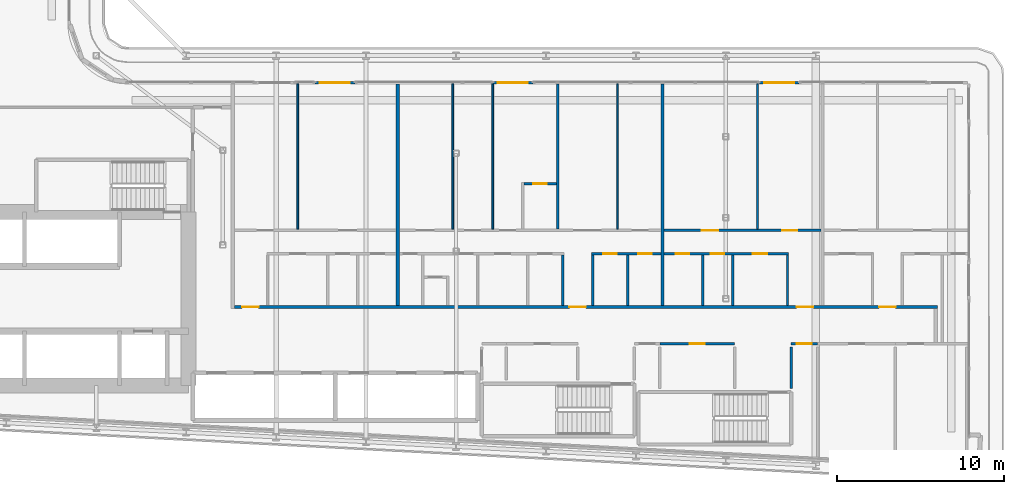
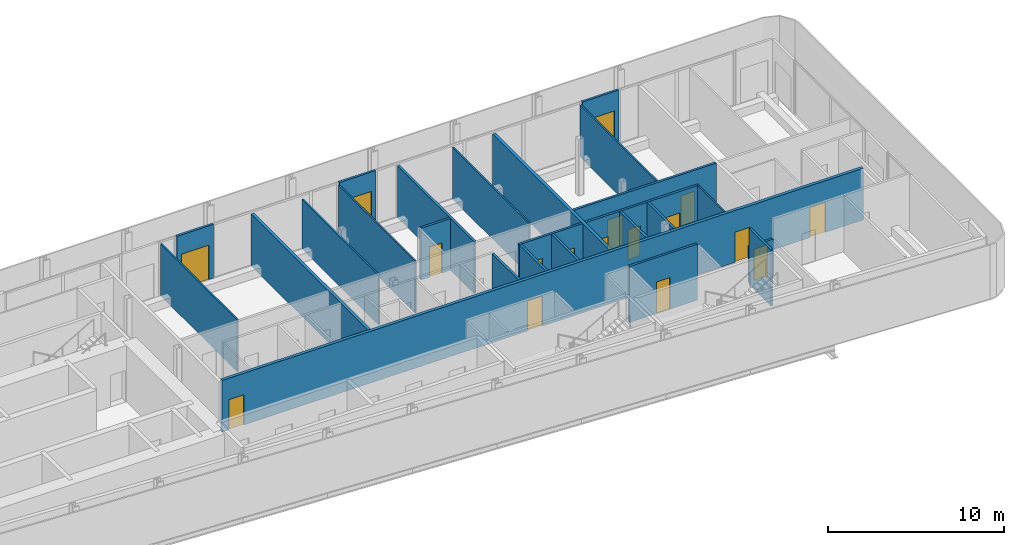
# One storey, part 16 of 28: 25 walls, 17 doors, 17 openings.
"""IFC4 building model written with IfcOpenShell, lengths in metres."""

from ifc_helpers import new_model, si_unit, direction, frame, frame_2d, origin, place, context, subcontext, project, spatial, rectangle, extrude, source, transform, mapped, material, layer, layer_set, type_object, element, fill, save


model = new_model("IFC4")

# Units and contexts
model_context = context("Model", 3, precision=1e-05, world=origin(), true_north=direction((0.0, 1.0)))
body_context = subcontext(model_context, "Body", "Model", "MODEL_VIEW")
ifc_project = project(units=[si_unit("LENGTHUNIT", "METRE"), si_unit("AREAUNIT", "SQUARE_METRE"), si_unit("VOLUMEUNIT", "CUBIC_METRE"), si_unit("PLANEANGLEUNIT", "RADIAN"), si_unit("MASSUNIT", "GRAM", prefix="KILO")], contexts=[model_context])

# Site, building, storey
site_placement = place(None, origin())
site = spatial("IfcSite", under=ifc_project, at=site_placement, CompositionType="ELEMENT")
building_placement = place(site_placement, origin())
building = spatial("IfcBuilding", under=site, at=building_placement, Name="Kheshtan School and Residences Tower", CompositionType="ELEMENT")
storey_placement = place(building_placement, frame((0.0, 0.0, 133.10009765625)))
storey = spatial("IfcBuildingStorey", under=building, at=storey_placement, Name="L31", CompositionType="ELEMENT", Elevation=133.10009765625)

# Wall, openings, doors
ifc_material_1 = material(Name="Gypsum board on steel studs with fire boards", Category="steel")
ifc_layer_1 = layer(ifc_material_1, 0.199951171875)
ifc_layer_set_1 = layer_set([ifc_layer_1], Name="Corridor wall 200")
wall_type_1 = type_object("IfcWallType", Name="Corridor wall 200", PredefinedType="PARTITIONING", material=ifc_layer_set_1)
wall_1_placement = place(storey_placement, frame((55.89990234375, 30.5, 0.0), z_axis=(0.0, 0.0, 1.0), x_axis=(1.0, 0.0, 0.0)))
wall_1 = element("IfcWall", 1, at=wall_1_placement, inside=storey, type_object=wall_type_1, Name="Partition L31-047", PredefinedType="PARTITIONING", context=body_context, shape_type="SweptSolid", body=[
    extrude(rectangle(XDim=42.2001953125, YDim=0.199951171875, at=frame_2d((21.10009765625, 0.0))), origin(), (0.0, 0.0, 1.0), 3.599853515625),
])
opening_1_placement = place(wall_1_placement, frame((0.449951171875, 0.0, 0.0)))
opening_1 = element("IfcOpeningElement", 2, at=opening_1_placement, cuts=wall_1, Name="Opening D29-003", PredefinedType="OPENING", context=body_context, shape_type="SweptSolid", body=[
    extrude(rectangle(XDim=1.0, YDim=2.10009765625, at=frame_2d((0.5, 1.050048828125))), frame((0.0, 0.10986328125, 0.0), z_axis=(0.0, -1.0, 0.0), x_axis=(1.0, 0.0, 0.0)), (0.0, 0.0, 1.0), 0.219970703125),
])
opening_2_placement = place(wall_1_placement, frame((20.10009765625, 0.0, 0.0)))
opening_2 = element("IfcOpeningElement", 3, at=opening_2_placement, cuts=wall_1, Name="Opening D29-013", PredefinedType="OPENING", context=body_context, shape_type="SweptSolid", body=[
    extrude(rectangle(XDim=1.0, YDim=2.10009765625, at=frame_2d((0.5, 1.050048828125))), frame((0.0, 0.10986328125, 0.0), z_axis=(0.0, -1.0, 0.0), x_axis=(1.0, 0.0, 0.0)), (0.0, 0.0, 1.0), 0.219970703125),
])
opening_3_placement = place(wall_1_placement, frame((33.75, 0.0, 0.0)))
opening_3 = element("IfcOpeningElement", 4, at=opening_3_placement, cuts=wall_1, Name="Opening D29-023", PredefinedType="OPENING", context=body_context, shape_type="SweptSolid", body=[
    extrude(rectangle(XDim=1.0, YDim=2.10009765625, at=frame_2d((0.5, 1.050048828125))), frame((0.0, 0.10986328125, 0.0), z_axis=(0.0, -1.0, 0.0), x_axis=(1.0, 0.0, 0.0)), (0.0, 0.0, 1.0), 0.219970703125),
])
opening_4_placement = place(wall_1_placement, frame((38.699951171875, 0.0, 0.0)))
opening_4 = element("IfcOpeningElement", 5, at=opening_4_placement, cuts=wall_1, Name="Opening D29-029", PredefinedType="OPENING", context=body_context, shape_type="SweptSolid", body=[
    extrude(rectangle(XDim=1.0, YDim=2.10009765625, at=frame_2d((0.5, 1.050048828125))), frame((0.0, 0.10986328125, 0.0), z_axis=(0.0, -1.0, 0.0), x_axis=(1.0, 0.0, 0.0)), (0.0, 0.0, 1.0), 0.219970703125),
])
ifc_material_2 = material(Name="Steel-framed fire-resisting door leaf", Category="steel")
door_type_1 = type_object("IfcDoorType", Name="Fire door FD30S 1000 x 2100", OperationType="SINGLE_SWING_LEFT", PredefinedType="DOOR", material=ifc_material_2)
shared_shape_1 = source(origin(), body_context, "Body", "SweptSolid", [
    extrude(rectangle(XDim=1.0, YDim=2.10009765625, at=frame_2d((0.5, 1.050048828125))), frame((0.0, 0.02490234375, 0.0), z_axis=(0.0, -1.0, 0.0), x_axis=(1.0, 0.0, 0.0)), (0.0, 0.0, 1.0), 0.050048828125),
])
door_1_placement = place(opening_1_placement, origin())
door_1 = element("IfcDoor", 6, at=door_1_placement, inside=storey, type_object=door_type_1, Name="Door D29-003", OperationType="SINGLE_SWING_RIGHT", OverallHeight=2.10009765625, OverallWidth=1.0, PredefinedType="DOOR", context=body_context, shape_type="MappedRepresentation", body=[
    mapped(shared_shape_1, transform((0.0, 0.0, 0.0), x_axis=(1.0, 0.0, 0.0), y_axis=(0.0, 1.0, 0.0), z_axis=(0.0, 0.0, 1.0), scale=1.0)),
])
fill(opening_1, door_1)
door_2_placement = place(opening_2_placement, origin())
door_2 = element("IfcDoor", 7, at=door_2_placement, inside=storey, type_object=door_type_1, Name="Door D29-013", OperationType="SINGLE_SWING_LEFT", OverallHeight=2.10009765625, OverallWidth=1.0, PredefinedType="DOOR", context=body_context, shape_type="MappedRepresentation", body=[
    mapped(shared_shape_1, transform((0.0, 0.0, 0.0), x_axis=(1.0, 0.0, 0.0), y_axis=(0.0, 1.0, 0.0), z_axis=(0.0, 0.0, 1.0), scale=1.0)),
])
fill(opening_2, door_2)
door_3_placement = place(opening_3_placement, origin())
door_3 = element("IfcDoor", 8, at=door_3_placement, inside=storey, type_object=door_type_1, Name="Door D29-023", OperationType="SINGLE_SWING_RIGHT", OverallHeight=2.10009765625, OverallWidth=1.0, PredefinedType="DOOR", context=body_context, shape_type="MappedRepresentation", body=[
    mapped(shared_shape_1, transform((0.0, 0.0, 0.0), x_axis=(1.0, 0.0, 0.0), y_axis=(0.0, 1.0, 0.0), z_axis=(0.0, 0.0, 1.0), scale=1.0)),
])
fill(opening_3, door_3)
door_4_placement = place(opening_4_placement, origin())
door_4 = element("IfcDoor", 9, at=door_4_placement, inside=storey, type_object=door_type_1, Name="Door D29-029", OperationType="SINGLE_SWING_LEFT", OverallHeight=2.10009765625, OverallWidth=1.0, PredefinedType="DOOR", context=body_context, shape_type="MappedRepresentation", body=[
    mapped(shared_shape_1, transform((0.0, 0.0, 0.0), x_axis=(1.0, 0.0, 0.0), y_axis=(0.0, 1.0, 0.0), z_axis=(0.0, 0.0, 1.0), scale=1.0)),
])
fill(opening_4, door_4)

# Wall, opening, door
ifc_material_3 = material(Name="Aluminium frame wall with insulated infill", Category="aluminium")
ifc_layer_2 = layer(ifc_material_3, 0.14990234375)
ifc_layer_set_2 = layer_set([ifc_layer_2], Name="Glazing frame wall 150")
wall_type_2 = type_object("IfcWallType", Name="Glazing frame wall 150", PredefinedType="SOLIDWALL", material=ifc_layer_set_2)
wall_2_placement = place(storey_placement, frame((60.72412109375, 43.97509765625, 0.0), z_axis=(0.0, 0.0, 1.0), x_axis=(1.0, 0.0, 0.0)))
wall_2 = element("IfcWall", 10, at=wall_2_placement, inside=storey, type_object=wall_type_2, Name="Balcony door wall L31 12.2", PredefinedType="SOLIDWALL", context=body_context, shape_type="SweptSolid", body=[
    extrude(rectangle(XDim=2.39990234375, YDim=0.14990234375, at=frame_2d((1.199951171875, 0.0))), origin(), (0.0, 0.0, 1.0), 3.75),
])
opening_5_placement = place(wall_2_placement, frame((0.300048828125, 0.0, 0.0)))
opening_5 = element("IfcOpeningElement", 11, at=opening_5_placement, cuts=wall_2, Name="Opening BD", PredefinedType="OPENING", context=body_context, shape_type="SweptSolid", body=[
    extrude(rectangle(XDim=1.800048828125, YDim=2.39990234375, at=frame_2d((0.89990234375, 1.199951171875))), frame((0.0, 0.0849609375, 0.0), z_axis=(0.0, -1.0, 0.0), x_axis=(1.0, 0.0, 0.0)), (0.0, 0.0, 1.0), 0.169921875),
])
ifc_material_4 = material(Name="Clear low-e glass in thermally broken aluminium frame", Category="aluminium")
door_type_2 = type_object("IfcDoorType", Name="Balcony sliding door", OperationType="SLIDING_TO_LEFT", PredefinedType="DOOR", material=ifc_material_4)
shared_shape_2 = source(origin(), body_context, "Body", "SweptSolid", [
    extrude(rectangle(XDim=1.800048828125, YDim=2.39990234375, at=frame_2d((0.89990234375, 1.199951171875))), frame((0.0, 0.02490234375, 0.0), z_axis=(0.0, -1.0, 0.0), x_axis=(1.0, 0.0, 0.0)), (0.0, 0.0, 1.0), 0.050048828125),
])
door_5_placement = place(opening_5_placement, origin())
door_5 = element("IfcDoor", 12, at=door_5_placement, inside=storey, type_object=door_type_2, Name="Balcony door L31 12.2", OperationType="SLIDING_TO_LEFT", OverallHeight=2.39990234375, OverallWidth=1.800048828125, PredefinedType="DOOR", context=body_context, shape_type="MappedRepresentation", body=[
    mapped(shared_shape_2, transform((0.0, 0.0, 0.0), x_axis=(1.0, 0.0, 0.0), y_axis=(0.0, 1.0, 0.0), z_axis=(0.0, 0.0, 1.0), scale=1.0)),
])
fill(opening_5, door_5)

wall_3_placement = place(storey_placement, frame((71.41796875, 43.97509765625, 0.0), z_axis=(0.0, 0.0, 1.0), x_axis=(1.0, 0.0, 0.0)))
wall_3 = element("IfcWall", 13, at=wall_3_placement, inside=storey, type_object=wall_type_2, Name="Balcony door wall L31 12.3", PredefinedType="SOLIDWALL", context=body_context, shape_type="SweptSolid", body=[
    extrude(rectangle(XDim=2.400146484375, YDim=0.14990234375, at=frame_2d((1.2001953125, 0.0))), origin(), (0.0, 0.0, 1.0), 3.75),
])
opening_6_placement = place(wall_3_placement, frame((0.300048828125, 0.0, 0.0)))
opening_6 = element("IfcOpeningElement", 14, at=opening_6_placement, cuts=wall_3, Name="Opening BD", PredefinedType="OPENING", context=body_context, shape_type="SweptSolid", body=[
    extrude(rectangle(XDim=1.800048828125, YDim=2.39990234375, at=frame_2d((0.89990234375, 1.199951171875))), frame((0.0, 0.0849609375, 0.0), z_axis=(0.0, -1.0, 0.0), x_axis=(1.0, 0.0, 0.0)), (0.0, 0.0, 1.0), 0.169921875),
])
door_6_placement = place(opening_6_placement, origin())
door_6 = element("IfcDoor", 15, at=door_6_placement, inside=storey, type_object=door_type_2, Name="Balcony door L31 12.3", OperationType="SLIDING_TO_LEFT", OverallHeight=2.39990234375, OverallWidth=1.800048828125, PredefinedType="DOOR", context=body_context, shape_type="MappedRepresentation", body=[
    mapped(shared_shape_2, transform((0.0, 0.0, 0.0), x_axis=(1.0, 0.0, 0.0), y_axis=(0.0, 1.0, 0.0), z_axis=(0.0, 0.0, 1.0), scale=1.0)),
])
fill(opening_6, door_6)

wall_4_placement = place(storey_placement, frame((87.406005859375, 43.97509765625, 0.0), z_axis=(0.0, 0.0, 1.0), x_axis=(1.0, 0.0, 0.0)))
wall_4 = element("IfcWall", 16, at=wall_4_placement, inside=storey, type_object=wall_type_2, Name="Balcony door wall L31 12.4", PredefinedType="SOLIDWALL", context=body_context, shape_type="SweptSolid", body=[
    extrude(rectangle(XDim=2.39990234375, YDim=0.14990234375, at=frame_2d((1.199951171875, 0.0))), origin(), (0.0, 0.0, 1.0), 3.75),
])
opening_7_placement = place(wall_4_placement, frame((0.300048828125, 0.0, 0.0)))
opening_7 = element("IfcOpeningElement", 17, at=opening_7_placement, cuts=wall_4, Name="Opening BD", PredefinedType="OPENING", context=body_context, shape_type="SweptSolid", body=[
    extrude(rectangle(XDim=1.800048828125, YDim=2.39990234375, at=frame_2d((0.89990234375, 1.199951171875))), frame((0.0, 0.0849609375, 0.0), z_axis=(0.0, -1.0, 0.0), x_axis=(1.0, 0.0, 0.0)), (0.0, 0.0, 1.0), 0.169921875),
])
door_7_placement = place(opening_7_placement, origin())
door_7 = element("IfcDoor", 18, at=door_7_placement, inside=storey, type_object=door_type_2, Name="Balcony door L31 12.4", OperationType="SLIDING_TO_LEFT", OverallHeight=2.39990234375, OverallWidth=1.800048828125, PredefinedType="DOOR", context=body_context, shape_type="MappedRepresentation", body=[
    mapped(shared_shape_2, transform((0.0, 0.0, 0.0), x_axis=(1.0, 0.0, 0.0), y_axis=(0.0, 1.0, 0.0), z_axis=(0.0, 0.0, 1.0), scale=1.0)),
])
fill(opening_7, door_7)

# Walls
ifc_material_5 = material(Name="Gypsum board on steel studs", Category="steel")
ifc_layer_3 = layer(ifc_material_5, 0.10009765625)
ifc_layer_set_3 = layer_set([ifc_layer_3], Name="Gypsum partition 100")
wall_type_3 = type_object("IfcWallType", Name="Gypsum partition 100", PredefinedType="PARTITIONING", material=ifc_layer_set_3)
wall_5_placement = place(storey_placement, frame((59.699951171875, 35.175048828125, 0.0), z_axis=(0.0, 0.0, 1.0), x_axis=(0.0, 1.0, 0.0)))
element("IfcWall", 19, at=wall_5_placement, inside=storey, type_object=wall_type_3, Name="Partition L31-051", PredefinedType="PARTITIONING", context=body_context, shape_type="SweptSolid", body=[
    extrude(rectangle(XDim=8.724853515625, YDim=0.10009765625, at=frame_2d((4.3623046875, 0.0))), origin(), (0.0, 0.0, 1.0), 3.599853515625),
])
wall_6_placement = place(storey_placement, frame((69.0, 35.175048828125, 0.0), z_axis=(0.0, 0.0, 1.0), x_axis=(0.0, 1.0, 0.0)))
element("IfcWall", 20, at=wall_6_placement, inside=storey, type_object=wall_type_3, Name="Partition L31-060", PredefinedType="PARTITIONING", context=body_context, shape_type="SweptSolid", body=[
    extrude(rectangle(XDim=8.724853515625, YDim=0.10009765625, at=frame_2d((4.3623046875, 0.0))), origin(), (0.0, 0.0, 1.0), 3.447021484375),
])
for number, where, z_axis, x_axis, name in (
    (21, (71.39990234375, 35.175048828125, 0.0), (0.0, 0.0, 1.0), (0.0, 1.0, 0.0), "Partition L31-062"),
    (22, (78.89990234375, 35.175048828125, 0.0), (0.0, 0.0, 1.0), (0.0, 1.0, 0.0), "Partition L31-070"),
    (23, (87.300048828125, 35.175048828125, 0.0), (0.0, 0.0, 1.0), (0.0, 1.0, 0.0), "Partition L31-077"),
):
    element("IfcWall", number, at=place(storey_placement, frame(where, z_axis=z_axis, x_axis=x_axis)), inside=storey, type_object=wall_type_3, Name=name, PredefinedType="PARTITIONING", context=body_context, shape_type="SweptSolid", body=[
        extrude(rectangle(XDim=8.724853515625, YDim=0.10009765625, at=frame_2d((4.3623046875, 0.0))), origin(), (0.0, 0.0, 1.0), 3.599853515625),
    ])
wall_7_placement = place(storey_placement, frame((89.10009765625, 30.60009765625, 0.0), z_axis=(0.0, 0.0, 1.0), x_axis=(0.0, 1.0, 0.0)))
element("IfcWall", 24, at=wall_7_placement, inside=storey, type_object=wall_type_3, Name="Partition L31-078", PredefinedType="PARTITIONING", context=body_context, shape_type="SweptSolid", body=[
    extrude(rectangle(XDim=3.02490234375, YDim=0.10009765625, at=frame_2d((1.512451171875, 0.0))), origin(), (0.0, 0.0, 1.0), 3.599853515625),
])

# Wall, opening, door
ifc_material_6 = material(Name="Fire-board shaft wall system")
ifc_layer_4 = layer(ifc_material_6, 0.14990234375)
ifc_layer_set_4 = layer_set([ifc_layer_4], Name="Service room wall 150")
wall_type_4 = type_object("IfcWallType", Name="Service room wall 150", PredefinedType="PARTITIONING", material=ifc_layer_set_4)
wall_8_placement = place(storey_placement, frame((81.44091796875, 28.300048828125, 0.0), z_axis=(0.0, 0.0, 1.0), x_axis=(1.0, 0.0, 0.0)))
wall_8 = element("IfcWall", 25, at=wall_8_placement, inside=storey, type_object=wall_type_4, Name="Service room wall", PredefinedType="PARTITIONING", context=body_context, shape_type="SweptSolid", body=[
    extrude(rectangle(XDim=4.47900390625, YDim=0.14990234375, at=frame_2d((2.239501953125, 0.0))), origin(), (0.0, 0.0, 1.0), 3.89990234375),
])
opening_8_placement = place(wall_8_placement, frame((1.7890625, 0.0, 0.0)))
opening_8 = element("IfcOpeningElement", 26, at=opening_8_placement, cuts=wall_8, Name="Opening SR90", PredefinedType="OPENING", context=body_context, shape_type="SweptSolid", body=[
    extrude(rectangle(XDim=0.89990234375, YDim=2.199951171875, at=frame_2d((0.449951171875, 1.10009765625))), frame((0.0, 0.0849609375, 0.0), z_axis=(0.0, -1.0, 0.0), x_axis=(1.0, 0.0, 0.0)), (0.0, 0.0, 1.0), 0.169921875),
])
ifc_material_7 = material(Name="Steel door leaf, galvanised", Category="steel")
door_type_3 = type_object("IfcDoorType", Name="Service room door 900 steel 90 min", OperationType="SINGLE_SWING_LEFT", PredefinedType="DOOR", material=ifc_material_7)
shared_shape_3 = source(origin(), body_context, "Body", "SweptSolid", [
    extrude(rectangle(XDim=0.89990234375, YDim=2.199951171875, at=frame_2d((0.449951171875, 1.10009765625))), frame((0.0, 0.02490234375, 0.0), z_axis=(0.0, -1.0, 0.0), x_axis=(1.0, 0.0, 0.0)), (0.0, 0.0, 1.0), 0.050048828125),
])
door_8_placement = place(opening_8_placement, origin())
door_8 = element("IfcDoor", 27, at=door_8_placement, inside=storey, type_object=door_type_3, Name="Service room door", OperationType="SINGLE_SWING_LEFT", OverallHeight=2.199951171875, OverallWidth=0.89990234375, PredefinedType="DOOR", context=body_context, shape_type="MappedRepresentation", body=[
    mapped(shared_shape_3, transform((0.0, 0.0, 0.0), x_axis=(1.0, 0.0, 0.0), y_axis=(0.0, 1.0, 0.0), z_axis=(0.0, 0.0, 1.0), scale=1.0)),
])
fill(opening_8, door_8)

wall_9_placement = place(storey_placement, frame((89.320068359375, 28.300048828125, 0.0), z_axis=(0.0, 0.0, 1.0), x_axis=(1.0, 0.0, 0.0)))
wall_9 = element("IfcWall", 28, at=wall_9_placement, inside=storey, type_object=wall_type_4, Name="Service room wall", PredefinedType="PARTITIONING", context=body_context, shape_type="SweptSolid", body=[
    extrude(rectangle(XDim=1.594970703125, YDim=0.14990234375, at=frame_2d((0.79736328125, 0.0))), origin(), (0.0, 0.0, 1.0), 2.5),
])
opening_9_placement = place(wall_9_placement, frame((0.347900390625, 0.0, 0.0)))
opening_9 = element("IfcOpeningElement", 29, at=opening_9_placement, cuts=wall_9, Name="Opening SR90", PredefinedType="OPENING", context=body_context, shape_type="SweptSolid", body=[
    extrude(rectangle(XDim=0.89990234375, YDim=2.199951171875, at=frame_2d((0.449951171875, 1.10009765625))), frame((0.0, 0.0849609375, 0.0), z_axis=(0.0, -1.0, 0.0), x_axis=(1.0, 0.0, 0.0)), (0.0, 0.0, 1.0), 0.169921875),
])
door_9_placement = place(opening_9_placement, origin())
door_9 = element("IfcDoor", 30, at=door_9_placement, inside=storey, type_object=door_type_3, Name="Service room door", OperationType="SINGLE_SWING_RIGHT", OverallHeight=2.199951171875, OverallWidth=0.89990234375, PredefinedType="DOOR", context=body_context, shape_type="MappedRepresentation", body=[
    mapped(shared_shape_3, transform((0.0, 0.0, 0.0), x_axis=(1.0, 0.0, 0.0), y_axis=(0.0, 1.0, 0.0), z_axis=(0.0, 0.0, 1.0), scale=1.0)),
])
fill(opening_9, door_9)

# Walls
wall_10_placement = place(storey_placement, frame((89.320068359375, 25.6201171875, 0.0), z_axis=(0.0, 0.0, 1.0), x_axis=(0.0, 1.0, 0.0)))
element("IfcWall", 31, at=wall_10_placement, inside=storey, type_object=wall_type_4, Name="Service room wall", PredefinedType="PARTITIONING", context=body_context, shape_type="SweptSolid", body=[
    extrude(rectangle(XDim=2.48486328125, YDim=0.14990234375, at=frame_2d((1.242431640625, 0.0))), origin(), (0.0, 0.0, 1.0), 3.89990234375),
])
ifc_material_8 = material(Name="Twin gypsum board on steel studs with mineral wool", Category="steel")
ifc_layer_5 = layer(ifc_material_8, 0.199951171875)
ifc_layer_set_5 = layer_set([ifc_layer_5], Name="Unit demising wall 200")
wall_type_5 = type_object("IfcWallType", Name="Unit demising wall 200", PredefinedType="PARTITIONING", material=ifc_layer_set_5)
for number, where, z_axis, x_axis, name in (
    (32, (65.699951171875, 30.60009765625, 0.0), (0.0, 0.0, 1.0), (0.0, 1.0, 0.0), "Partition L31-054"),
    (33, (81.60009765625, 30.60009765625, 0.0), (0.0, 0.0, 1.0), (0.0, 1.0, 0.0), "Partition L31-072"),
):
    element("IfcWall", number, at=place(storey_placement, frame(where, z_axis=z_axis, x_axis=x_axis)), inside=storey, type_object=wall_type_5, Name=name, PredefinedType="PARTITIONING", context=body_context, shape_type="SweptSolid", body=[
        extrude(rectangle(XDim=13.2998046875, YDim=0.199951171875, at=frame_2d((6.64990234375, 0.0))), origin(), (0.0, 0.0, 1.0), 3.599853515625),
    ])

# Wall, opening, door
ifc_material_9 = material(Name="Moisture-resistant gypsum board on steel studs", Category="steel")
ifc_layer_6 = layer(ifc_material_9, 0.14990234375)
ifc_layer_set_6 = layer_set([ifc_layer_6], Name="Wet-room partition 150")
wall_type_6 = type_object("IfcWallType", Name="Wet-room partition 150", PredefinedType="PARTITIONING", material=ifc_layer_set_6)
wall_11_placement = place(storey_placement, frame((73.27490234375, 37.89990234375, 0.0), z_axis=(0.0, 0.0, 1.0), x_axis=(1.0, 0.0, 0.0)))
wall_11 = element("IfcWall", 34, at=wall_11_placement, inside=storey, type_object=wall_type_6, Name="Partition L31-064", PredefinedType="PARTITIONING", context=body_context, shape_type="SweptSolid", body=[
    extrude(rectangle(XDim=1.9501953125, YDim=0.14990234375, at=frame_2d((0.97509765625, 0.0))), origin(), (0.0, 0.0, 1.0), 3.599853515625),
])
opening_10_placement = place(wall_11_placement, frame((0.574951171875, 0.0, 0.0)))
opening_10 = element("IfcOpeningElement", 35, at=opening_10_placement, cuts=wall_11, Name="Opening D29-012", PredefinedType="OPENING", context=body_context, shape_type="SweptSolid", body=[
    extrude(rectangle(XDim=0.800048828125, YDim=2.10009765625, at=frame_2d((0.39990234375, 1.050048828125))), frame((0.0, 0.0849609375, 0.0), z_axis=(0.0, -1.0, 0.0), x_axis=(1.0, 0.0, 0.0)), (0.0, 0.0, 1.0), 0.169921875),
])
ifc_material_10 = material(Name="Veneered timber door leaf", Category="wood")
door_type_4 = type_object("IfcDoorType", Name="Door 800 x 2100", OperationType="SINGLE_SWING_LEFT", PredefinedType="DOOR", material=ifc_material_10)
shared_shape_4 = source(origin(), body_context, "Body", "SweptSolid", [
    extrude(rectangle(XDim=0.800048828125, YDim=2.10009765625, at=frame_2d((0.39990234375, 1.050048828125))), frame((0.0, 0.02490234375, 0.0), z_axis=(0.0, -1.0, 0.0), x_axis=(1.0, 0.0, 0.0)), (0.0, 0.0, 1.0), 0.050048828125),
])
door_10_placement = place(opening_10_placement, origin())
door_10 = element("IfcDoor", 36, at=door_10_placement, inside=storey, type_object=door_type_4, Name="Door D29-012", OperationType="SINGLE_SWING_LEFT", OverallHeight=2.10009765625, OverallWidth=0.800048828125, PredefinedType="DOOR", context=body_context, shape_type="MappedRepresentation", body=[
    mapped(shared_shape_4, transform((0.0, 0.0, 0.0), x_axis=(1.0, 0.0, 0.0), y_axis=(0.0, 1.0, 0.0), z_axis=(0.0, 0.0, 1.0), scale=1.0)),
])
fill(opening_10, door_10)

# Walls
wall_12_placement = place(storey_placement, frame((75.300048828125, 35.175048828125, 0.0), z_axis=(0.0, 0.0, 1.0), x_axis=(0.0, 1.0, 0.0)))
element("IfcWall", 37, at=wall_12_placement, inside=storey, type_object=wall_type_6, Name="Partition L31-066", PredefinedType="PARTITIONING", context=body_context, shape_type="SweptSolid", body=[
    extrude(rectangle(XDim=8.724853515625, YDim=0.14990234375, at=frame_2d((4.3623046875, 0.0))), origin(), (0.0, 0.0, 1.0), 3.599853515625),
])
wall_13_placement = place(storey_placement, frame((75.60009765625, 30.60009765625, 0.0), z_axis=(0.0, 0.0, 1.0), x_axis=(0.0, 1.0, 0.0)))
element("IfcWall", 38, at=wall_13_placement, inside=storey, type_object=wall_type_6, Name="Partition L31-067", PredefinedType="PARTITIONING", context=body_context, shape_type="SweptSolid", body=[
    extrude(rectangle(XDim=3.02490234375, YDim=0.14990234375, at=frame_2d((1.512451171875, 0.0))), origin(), (0.0, 0.0, 1.0), 3.599853515625),
])

# Wall, openings, doors
wall_14_placement = place(storey_placement, frame((77.324951171875, 33.699951171875, 0.0), z_axis=(0.0, 0.0, 1.0), x_axis=(1.0, 0.0, 0.0)))
wall_14 = element("IfcWall", 39, at=wall_14_placement, inside=storey, type_object=wall_type_6, Name="Partition L31-068", PredefinedType="PARTITIONING", context=body_context, shape_type="SweptSolid", body=[
    extrude(rectangle(XDim=4.175048828125, YDim=0.14990234375, at=frame_2d((2.08740234375, 0.0))), origin(), (0.0, 0.0, 1.0), 3.599853515625),
])
opening_11_placement = place(wall_14_placement, frame((0.72509765625, 0.0, 0.0)))
opening_11 = element("IfcOpeningElement", 40, at=opening_11_placement, cuts=wall_14, Name="Opening D29-008", PredefinedType="OPENING", context=body_context, shape_type="SweptSolid", body=[
    extrude(rectangle(XDim=0.800048828125, YDim=2.10009765625, at=frame_2d((0.39990234375, 1.050048828125))), frame((0.0, 0.0849609375, 0.0), z_axis=(0.0, -1.0, 0.0), x_axis=(1.0, 0.0, 0.0)), (0.0, 0.0, 1.0), 0.169921875),
])
opening_12_placement = place(wall_14_placement, frame((2.824951171875, 0.0, 0.0)))
opening_12 = element("IfcOpeningElement", 41, at=opening_12_placement, cuts=wall_14, Name="Opening D29-011", PredefinedType="OPENING", context=body_context, shape_type="SweptSolid", body=[
    extrude(rectangle(XDim=0.800048828125, YDim=2.10009765625, at=frame_2d((0.39990234375, 1.050048828125))), frame((0.0, 0.0849609375, 0.0), z_axis=(0.0, -1.0, 0.0), x_axis=(1.0, 0.0, 0.0)), (0.0, 0.0, 1.0), 0.169921875),
])
door_11_placement = place(opening_11_placement, origin())
door_11 = element("IfcDoor", 42, at=door_11_placement, inside=storey, type_object=door_type_4, Name="Door D29-008", OperationType="SINGLE_SWING_RIGHT", OverallHeight=2.10009765625, OverallWidth=0.800048828125, PredefinedType="DOOR", context=body_context, shape_type="MappedRepresentation", body=[
    mapped(shared_shape_4, transform((0.0, 0.0, 0.0), x_axis=(1.0, 0.0, 0.0), y_axis=(0.0, 1.0, 0.0), z_axis=(0.0, 0.0, 1.0), scale=1.0)),
])
fill(opening_11, door_11)
door_12_placement = place(opening_12_placement, origin())
door_12 = element("IfcDoor", 43, at=door_12_placement, inside=storey, type_object=door_type_4, Name="Door D29-011", OperationType="SINGLE_SWING_LEFT", OverallHeight=2.10009765625, OverallWidth=0.800048828125, PredefinedType="DOOR", context=body_context, shape_type="MappedRepresentation", body=[
    mapped(shared_shape_4, transform((0.0, 0.0, 0.0), x_axis=(1.0, 0.0, 0.0), y_axis=(0.0, 1.0, 0.0), z_axis=(0.0, 0.0, 1.0), scale=1.0)),
])
fill(opening_12, door_12)

# Walls
for number, where, z_axis, x_axis, name in (
    (44, (77.39990234375, 30.60009765625, 0.0), (0.0, 0.0, 1.0), (0.0, 1.0, 0.0), "Partition L31-069"),
    (45, (79.5, 30.60009765625, 0.0), (0.0, 0.0, 1.0), (0.0, 1.0, 0.0), "Partition L31-071"),
):
    element("IfcWall", number, at=place(storey_placement, frame(where, z_axis=z_axis, x_axis=x_axis)), inside=storey, type_object=wall_type_6, Name=name, PredefinedType="PARTITIONING", context=body_context, shape_type="SweptSolid", body=[
        extrude(rectangle(XDim=3.02490234375, YDim=0.14990234375, at=frame_2d((1.512451171875, 0.0))), origin(), (0.0, 0.0, 1.0), 3.599853515625),
    ])

# Wall, openings, doors
wall_15_placement = place(storey_placement, frame((81.699951171875, 33.699951171875, 0.0), z_axis=(0.0, 0.0, 1.0), x_axis=(1.0, 0.0, 0.0)))
wall_15 = element("IfcWall", 46, at=wall_15_placement, inside=storey, type_object=wall_type_6, Name="Partition L31-073", PredefinedType="PARTITIONING", context=body_context, shape_type="SweptSolid", body=[
    extrude(rectangle(XDim=7.449951171875, YDim=0.14990234375, at=frame_2d((3.72509765625, 0.0))), origin(), (0.0, 0.0, 1.0), 3.599853515625),
])
opening_13_placement = place(wall_15_placement, frame((0.699951171875, 0.0, 0.0)))
opening_13 = element("IfcOpeningElement", 47, at=opening_13_placement, cuts=wall_15, Name="Opening D29-021", PredefinedType="OPENING", context=body_context, shape_type="SweptSolid", body=[
    extrude(rectangle(XDim=0.800048828125, YDim=2.10009765625, at=frame_2d((0.39990234375, 1.050048828125))), frame((0.0, 0.0849609375, 0.0), z_axis=(0.0, -1.0, 0.0), x_axis=(1.0, 0.0, 0.0)), (0.0, 0.0, 1.0), 0.169921875),
])
opening_14_placement = place(wall_15_placement, frame((5.300048828125, 0.0, 0.0)))
opening_14 = element("IfcOpeningElement", 48, at=opening_14_placement, cuts=wall_15, Name="Opening D29-024", PredefinedType="OPENING", context=body_context, shape_type="SweptSolid", body=[
    extrude(rectangle(XDim=0.89990234375, YDim=2.10009765625, at=frame_2d((0.449951171875, 1.050048828125))), frame((0.0, 0.0849609375, 0.0), z_axis=(0.0, -1.0, 0.0), x_axis=(1.0, 0.0, 0.0)), (0.0, 0.0, 1.0), 0.169921875),
])
opening_15_placement = place(wall_15_placement, frame((2.800048828125, 0.0, 0.0)))
opening_15 = element("IfcOpeningElement", 49, at=opening_15_placement, cuts=wall_15, Name="Opening D29-026", PredefinedType="OPENING", context=body_context, shape_type="SweptSolid", body=[
    extrude(rectangle(XDim=0.800048828125, YDim=2.10009765625, at=frame_2d((0.39990234375, 1.050048828125))), frame((0.0, 0.0849609375, 0.0), z_axis=(0.0, -1.0, 0.0), x_axis=(1.0, 0.0, 0.0)), (0.0, 0.0, 1.0), 0.169921875),
])
door_13_placement = place(opening_13_placement, origin())
door_13 = element("IfcDoor", 50, at=door_13_placement, inside=storey, type_object=door_type_4, Name="Door D29-021", OperationType="SINGLE_SWING_RIGHT", OverallHeight=2.10009765625, OverallWidth=0.800048828125, PredefinedType="DOOR", context=body_context, shape_type="MappedRepresentation", body=[
    mapped(shared_shape_4, transform((0.0, 0.0, 0.0), x_axis=(1.0, 0.0, 0.0), y_axis=(0.0, 1.0, 0.0), z_axis=(0.0, 0.0, 1.0), scale=1.0)),
])
fill(opening_13, door_13)
door_14_placement = place(opening_15_placement, origin())
door_14 = element("IfcDoor", 51, at=door_14_placement, inside=storey, type_object=door_type_4, Name="Door D29-026", OperationType="SINGLE_SWING_LEFT", OverallHeight=2.10009765625, OverallWidth=0.800048828125, PredefinedType="DOOR", context=body_context, shape_type="MappedRepresentation", body=[
    mapped(shared_shape_4, transform((0.0, 0.0, 0.0), x_axis=(1.0, 0.0, 0.0), y_axis=(0.0, 1.0, 0.0), z_axis=(0.0, 0.0, 1.0), scale=1.0)),
])
fill(opening_15, door_14)
door_type_5 = type_object("IfcDoorType", Name="Door 900 x 2100", OperationType="SINGLE_SWING_LEFT", PredefinedType="DOOR", material=ifc_material_10)
shared_shape_5 = source(origin(), body_context, "Body", "SweptSolid", [
    extrude(rectangle(XDim=0.89990234375, YDim=2.10009765625, at=frame_2d((0.449951171875, 1.050048828125))), frame((0.0, 0.02490234375, 0.0), z_axis=(0.0, -1.0, 0.0), x_axis=(1.0, 0.0, 0.0)), (0.0, 0.0, 1.0), 0.050048828125),
])
door_15_placement = place(opening_14_placement, origin())
door_15 = element("IfcDoor", 52, at=door_15_placement, inside=storey, type_object=door_type_5, Name="Door D29-024", OperationType="SINGLE_SWING_RIGHT", OverallHeight=2.10009765625, OverallWidth=0.89990234375, PredefinedType="DOOR", context=body_context, shape_type="MappedRepresentation", body=[
    mapped(shared_shape_5, transform((0.0, 0.0, 0.0), x_axis=(1.0, 0.0, 0.0), y_axis=(0.0, 1.0, 0.0), z_axis=(0.0, 0.0, 1.0), scale=1.0)),
])
fill(opening_14, door_15)

wall_16_placement = place(storey_placement, frame((81.699951171875, 35.10009765625, 0.0), z_axis=(0.0, 0.0, 1.0), x_axis=(1.0, 0.0, 0.0)))
wall_16 = element("IfcWall", 53, at=wall_16_placement, inside=storey, type_object=wall_type_6, Name="Partition L31-074", PredefinedType="PARTITIONING", context=body_context, shape_type="SweptSolid", body=[
    extrude(rectangle(XDim=9.400146484375, YDim=0.14990234375, at=frame_2d((4.7001953125, 0.0))), origin(), (0.0, 0.0, 1.0), 3.599853515625),
])
opening_16_placement = place(wall_16_placement, frame((7.10009765625, 0.0, 0.0)))
opening_16 = element("IfcOpeningElement", 54, at=opening_16_placement, cuts=wall_16, Name="Opening D29-022", PredefinedType="OPENING", context=body_context, shape_type="SweptSolid", body=[
    extrude(rectangle(XDim=0.89990234375, YDim=2.10009765625, at=frame_2d((0.449951171875, 1.050048828125))), frame((0.0, 0.0849609375, 0.0), z_axis=(0.0, -1.0, 0.0), x_axis=(1.0, 0.0, 0.0)), (0.0, 0.0, 1.0), 0.169921875),
])
opening_17_placement = place(wall_16_placement, frame((2.25, 0.0, 0.0)))
opening_17 = element("IfcOpeningElement", 55, at=opening_17_placement, cuts=wall_16, Name="Opening D29-025", PredefinedType="OPENING", context=body_context, shape_type="SweptSolid", body=[
    extrude(rectangle(XDim=1.0, YDim=2.10009765625, at=frame_2d((0.5, 1.050048828125))), frame((0.0, 0.0849609375, 0.0), z_axis=(0.0, -1.0, 0.0), x_axis=(1.0, 0.0, 0.0)), (0.0, 0.0, 1.0), 0.169921875),
])
door_type_6 = type_object("IfcDoorType", Name="Door 1000 x 2100", OperationType="SINGLE_SWING_LEFT", PredefinedType="DOOR", material=ifc_material_10)
shared_shape_6 = source(origin(), body_context, "Body", "SweptSolid", [
    extrude(rectangle(XDim=1.0, YDim=2.10009765625, at=frame_2d((0.5, 1.050048828125))), frame((0.0, 0.02490234375, 0.0), z_axis=(0.0, -1.0, 0.0), x_axis=(1.0, 0.0, 0.0)), (0.0, 0.0, 1.0), 0.050048828125),
])
door_16_placement = place(opening_17_placement, origin())
door_16 = element("IfcDoor", 56, at=door_16_placement, inside=storey, type_object=door_type_6, Name="Door D29-025", OperationType="SINGLE_SWING_LEFT", OverallHeight=2.10009765625, OverallWidth=1.0, PredefinedType="DOOR", context=body_context, shape_type="MappedRepresentation", body=[
    mapped(shared_shape_6, transform((0.0, 0.0, 0.0), x_axis=(1.0, 0.0, 0.0), y_axis=(0.0, 1.0, 0.0), z_axis=(0.0, 0.0, 1.0), scale=1.0)),
])
fill(opening_17, door_16)
door_17_placement = place(opening_16_placement, origin())
door_17 = element("IfcDoor", 57, at=door_17_placement, inside=storey, type_object=door_type_5, Name="Door D29-022", OperationType="SINGLE_SWING_LEFT", OverallHeight=2.10009765625, OverallWidth=0.89990234375, PredefinedType="DOOR", context=body_context, shape_type="MappedRepresentation", body=[
    mapped(shared_shape_5, transform((0.0, 0.0, 0.0), x_axis=(1.0, 0.0, 0.0), y_axis=(0.0, 1.0, 0.0), z_axis=(0.0, 0.0, 1.0), scale=1.0)),
])
fill(opening_16, door_17)

# Walls
for number, where, z_axis, x_axis, name in (
    (58, (84.0, 30.60009765625, 0.0), (0.0, 0.0, 1.0), (0.0, 1.0, 0.0), "Partition L31-075"),
    (59, (85.800048828125, 30.60009765625, 0.0), (0.0, 0.0, 1.0), (0.0, 1.0, 0.0), "Partition L31-076"),
):
    element("IfcWall", number, at=place(storey_placement, frame(where, z_axis=z_axis, x_axis=x_axis)), inside=storey, type_object=wall_type_6, Name=name, PredefinedType="PARTITIONING", context=body_context, shape_type="SweptSolid", body=[
        extrude(rectangle(XDim=3.02490234375, YDim=0.14990234375, at=frame_2d((1.512451171875, 0.0))), origin(), (0.0, 0.0, 1.0), 3.599853515625),
    ])

save(model, "model.ifc")
